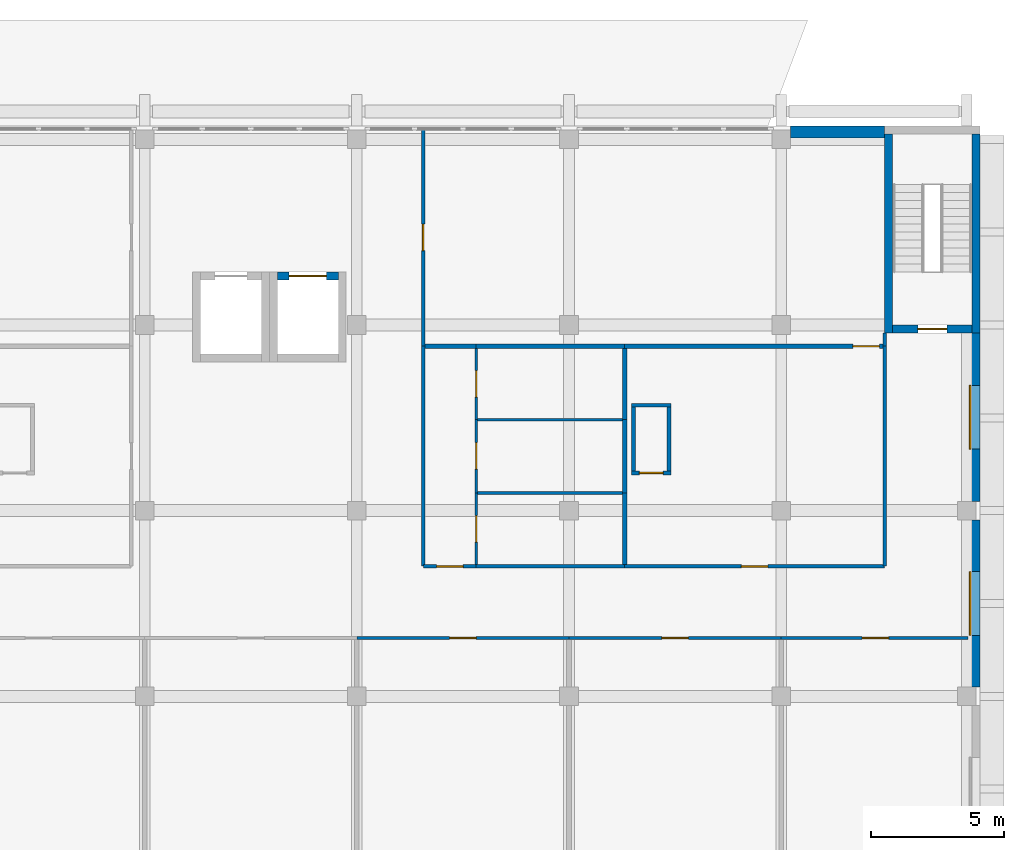
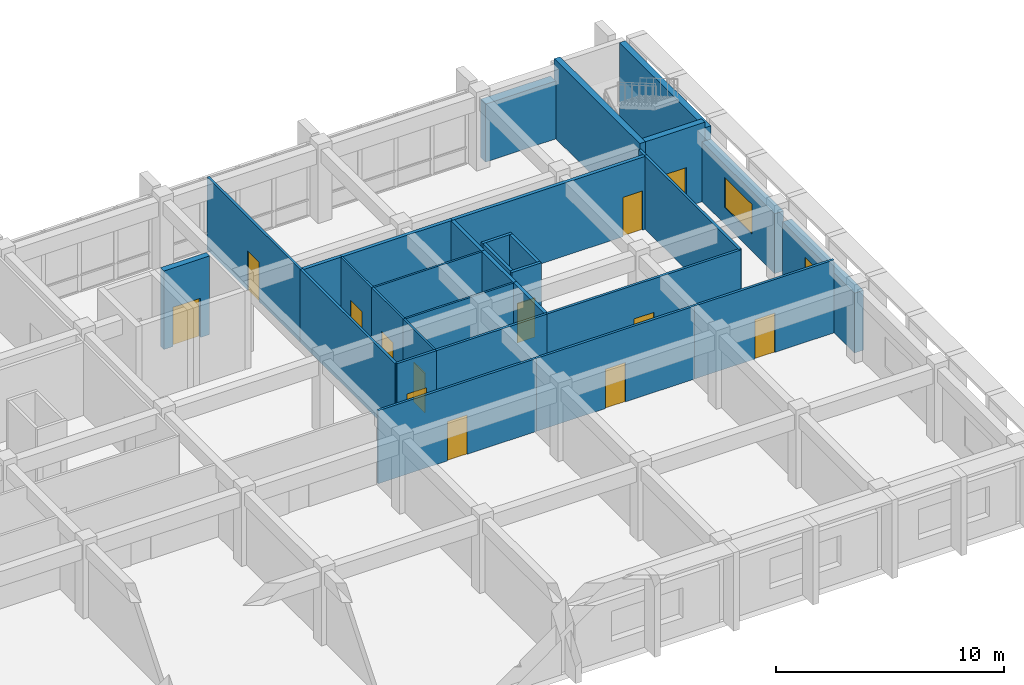
# One storey, part 36 of 45: 32 walls, 13 doors, 2 windows, 15 openings.
"""IFC4 building model written with IfcOpenShell, lengths in metres."""

from ifc_helpers import new_model, si_unit, direction, frame, frame_2d, origin, place, context, subcontext, project, spatial, rectangle, extrude, material, layer, layer_set, type_object, element, fill, save


model = new_model("IFC4")

# Units and contexts
model_context = context("Model", 3, precision=1e-05, world=origin(), true_north=direction((0.0, 1.0)))
body_context = subcontext(model_context, "Body", "Model", "MODEL_VIEW")
ifc_project = project(units=[si_unit("LENGTHUNIT", "METRE"), si_unit("AREAUNIT", "SQUARE_METRE"), si_unit("VOLUMEUNIT", "CUBIC_METRE"), si_unit("PLANEANGLEUNIT", "RADIAN"), si_unit("MASSUNIT", "GRAM", prefix="KILO")], contexts=[model_context])

# Site, building, storey
site_placement = place(None, origin())
site = spatial("IfcSite", under=ifc_project, at=site_placement, CompositionType="ELEMENT")
building_placement = place(site_placement, origin())
building = spatial("IfcBuilding", under=site, at=building_placement, Name="Elmora Arch Market Hall", CompositionType="ELEMENT")
storey_placement = place(building_placement, frame((0.0, 0.0, 6.0)))
storey = spatial("IfcBuildingStorey", under=building, at=storey_placement, Name="L01", CompositionType="ELEMENT", Elevation=6.0)

# Wall, opening, door
ifc_material_1 = material(Name="Blockwork", Category="masonry")
ifc_layer_1 = layer(ifc_material_1, 0.14990234375)
ifc_layer_set_1 = layer_set([ifc_layer_1], Name="Blockwork")
wall_type_1 = type_object("IfcWallType", Name="Blockwork partition 150 EI 120", PredefinedType="PARTITIONING", material=ifc_layer_set_1)
wall_1_placement = place(storey_placement, frame((120.85009765625, 152.925048828125, 0.0), z_axis=(0.0, 0.0, 1.0), x_axis=(1.0, 0.0, 0.0)))
wall_1 = element("IfcWall", 1, at=wall_1_placement, inside=storey, type_object=wall_type_1, Name="Riser wall L01 39", PredefinedType="PARTITIONING", context=body_context, shape_type="SweptSolid", body=[
    extrude(rectangle(XDim=1.5, YDim=0.14990234375, at=frame_2d((0.75, 0.0))), origin(), (0.0, 0.0, 1.0), 3.89990234375),
])
opening_1_placement = place(wall_1_placement, frame((0.300048828125, 0.0, 0.0)))
opening_1 = element("IfcOpeningElement", 2, at=opening_1_placement, cuts=wall_1, Name="Opening D-L01-081", PredefinedType="OPENING", context=body_context, shape_type="SweptSolid", body=[
    extrude(rectangle(XDim=0.89990234375, YDim=2.10009765625, at=frame_2d((0.449951171875, 1.050048828125))), frame((0.0, 0.0849609375, 0.0), z_axis=(0.0, -1.0, 0.0), x_axis=(1.0, 0.0, 0.0)), (0.0, 0.0, 1.0), 0.169921875),
])
ifc_material_2 = material(Name="Steel ASTM A653 galvanised", Category="steel")
door_type_1 = type_object("IfcDoorType", Name="Door 900 x 2100 FD90", OperationType="SINGLE_SWING_LEFT", PredefinedType="DOOR", material=ifc_material_2)
door_1_placement = place(opening_1_placement, origin())
door_1 = element("IfcDoor", 3, at=door_1_placement, inside=storey, type_object=door_type_1, Name="Riser access door D-L01-081", OperationType="SINGLE_SWING_LEFT", OverallHeight=2.10009765625, OverallWidth=0.89990234375, PredefinedType="DOOR", context=body_context, shape_type="SweptSolid", body=[
    extrude(rectangle(XDim=0.89990234375, YDim=2.10009765625, at=frame_2d((0.449951171875, 1.050048828125))), frame((0.0, 0.02490234375, 0.0), z_axis=(0.0, -1.0, 0.0), x_axis=(1.0, 0.0, 0.0)), (0.0, 0.0, 1.0), 0.050048828125),
])
fill(opening_1, door_1)

# Walls
wall_2_placement = place(storey_placement, frame((120.925048828125, 153.0, 0.0), z_axis=(0.0, 0.0, 1.0), x_axis=(0.0, 1.0, 0.0)))
element("IfcWall", 4, at=wall_2_placement, inside=storey, type_object=wall_type_1, Name="Riser wall L01 40", PredefinedType="PARTITIONING", context=body_context, shape_type="SweptSolid", body=[
    extrude(rectangle(XDim=2.39990234375, YDim=0.14990234375, at=frame_2d((1.199951171875, 0.0))), origin(), (0.0, 0.0, 1.0), 3.89990234375),
])
wall_3_placement = place(storey_placement, frame((120.85009765625, 155.47509765625, 0.0), z_axis=(0.0, 0.0, 1.0), x_axis=(1.0, 0.0, 0.0)))
element("IfcWall", 5, at=wall_3_placement, inside=storey, type_object=wall_type_1, Name="Riser wall L01 41", PredefinedType="PARTITIONING", context=body_context, shape_type="SweptSolid", body=[
    extrude(rectangle(XDim=1.5, YDim=0.14990234375, at=frame_2d((0.75, 0.0))), origin(), (0.0, 0.0, 1.0), 3.89990234375),
])
wall_4_placement = place(storey_placement, frame((122.27490234375, 153.0, 0.0), z_axis=(0.0, 0.0, 1.0), x_axis=(0.0, 1.0, 0.0)))
element("IfcWall", 6, at=wall_4_placement, inside=storey, type_object=wall_type_1, Name="Riser wall L01 42", PredefinedType="PARTITIONING", context=body_context, shape_type="SweptSolid", body=[
    extrude(rectangle(XDim=2.39990234375, YDim=0.14990234375, at=frame_2d((1.199951171875, 0.0))), origin(), (0.0, 0.0, 1.0), 3.89990234375),
])
ifc_material_3 = material(Name="Concrete C40/50", Category="concrete")
ifc_layer_2 = layer(ifc_material_3, 0.300048828125)
ifc_layer_set_2 = layer_set([ifc_layer_2], Name="Concrete C40/50")
wall_type_2 = type_object("IfcWallType", Name="Board-marked concrete wall 300", PredefinedType="SOLIDWALL", material=ifc_layer_set_2)
wall_5_placement = place(storey_placement, frame((133.85009765625, 165.699951171875, 0.0), z_axis=(0.0, 0.0, 1.0), x_axis=(0.0, -1.0, 0.0)))
element("IfcWall", 7, at=wall_5_placement, inside=storey, type_object=wall_type_2, Name="School stair wall E L01 1", PredefinedType="SOLIDWALL", context=body_context, shape_type="SweptSolid", body=[
    extrude(rectangle(XDim=7.5, YDim=0.300048828125, at=frame_2d((3.75, 0.0))), origin(), (0.0, 0.0, 1.0), 3.89990234375),
])
ifc_material_4 = material(Name="Concrete C40/50", Category="concrete")
ifc_layer_3 = layer(ifc_material_4, 0.449951171875)
ifc_layer_set_3 = layer_set([ifc_layer_3], Name="Concrete C40/50")
wall_type_3 = type_object("IfcWallType", Name="Board-marked concrete wall 450", PredefinedType="SOLIDWALL", material=ifc_layer_set_3)
wall_6_placement = place(storey_placement, frame((126.85009765625, 165.77490234375, 0.0), z_axis=(0.0, 0.0, 1.0), x_axis=(1.0, 0.0, 0.0)))
element("IfcWall", 8, at=wall_6_placement, inside=storey, type_object=wall_type_3, Name="School facade wall N L01 8", PredefinedType="SOLIDWALL", context=body_context, shape_type="SweptSolid", body=[
    extrude(rectangle(XDim=3.5498046875, YDim=0.449951171875, at=frame_2d((1.77490234375, 0.0))), origin(), (0.0, 0.0, 1.0), 3.10009765625),
])

# Wall, opening, window
wall_7_placement = place(storey_placement, frame((133.77490234375, 151.14990234375, 0.0), z_axis=(0.0, 0.0, 1.0), x_axis=(0.0, -1.0, 0.0)))
wall_7 = element("IfcWall", 9, at=wall_7_placement, inside=storey, type_object=wall_type_3, Name="School facade wall E L01 4", PredefinedType="SOLIDWALL", context=body_context, shape_type="SweptSolid", body=[
    extrude(rectangle(XDim=6.2998046875, YDim=0.449951171875, at=frame_2d((3.14990234375, 0.0))), origin(), (0.0, 0.0, 1.0), 3.199951171875),
])
opening_2_placement = place(wall_7_placement, frame((1.949951171875, 0.0, 0.89990234375)))
opening_2 = element("IfcOpeningElement", 10, at=opening_2_placement, cuts=wall_7, Name="Opening WB2", PredefinedType="OPENING", context=body_context, shape_type="SweptSolid", body=[
    extrude(rectangle(XDim=2.39990234375, YDim=1.60009765625, at=frame_2d((1.199951171875, 0.800048828125))), frame((0.0, 0.23486328125, 0.0), z_axis=(0.0, -1.0, 0.0), x_axis=(1.0, 0.0, 0.0)), (0.0, 0.0, 1.0), 0.469970703125),
])
ifc_material_5 = material(Name="Aluminium", Category="aluminium")
window_type = type_object("IfcWindowType", Name="School end band window 2400x1600", PartitioningType="SINGLE_PANEL", PredefinedType="WINDOW", material=ifc_material_5)
window_1_placement = place(opening_2_placement, origin())
window_1 = element("IfcWindow", 11, at=window_1_placement, inside=storey, type_object=window_type, Name="Window WB2 L01 E99", OverallHeight=1.60009765625, OverallWidth=2.39990234375, PartitioningType="SINGLE_PANEL", PredefinedType="WINDOW", context=body_context, shape_type="SweptSolid", body=[
    extrude(rectangle(XDim=2.39990234375, YDim=1.60009765625, at=frame_2d((1.199951171875, 0.800048828125))), frame((0.0, -0.125, 0.0), z_axis=(0.0, -1.0, 0.0), x_axis=(1.0, 0.0, 0.0)), (0.0, 0.0, 1.0), 0.06005859375),
])
fill(opening_2, window_1)

wall_8_placement = place(storey_placement, frame((133.77490234375, 158.199951171875, 0.0), z_axis=(0.0, 0.0, 1.0), x_axis=(0.0, -1.0, 0.0)))
wall_8 = element("IfcWall", 12, at=wall_8_placement, inside=storey, type_object=wall_type_3, Name="School facade wall E L01 5", PredefinedType="SOLIDWALL", context=body_context, shape_type="SweptSolid", body=[
    extrude(rectangle(XDim=6.349853515625, YDim=0.449951171875, at=frame_2d((3.1748046875, 0.0))), origin(), (0.0, 0.0, 1.0), 3.199951171875),
])
opening_3_placement = place(wall_8_placement, frame((1.97509765625, 0.0, 0.89990234375)))
opening_3 = element("IfcOpeningElement", 13, at=opening_3_placement, cuts=wall_8, Name="Opening WB2", PredefinedType="OPENING", context=body_context, shape_type="SweptSolid", body=[
    extrude(rectangle(XDim=2.39990234375, YDim=1.60009765625, at=frame_2d((1.199951171875, 0.800048828125))), frame((0.0, 0.23486328125, 0.0), z_axis=(0.0, -1.0, 0.0), x_axis=(1.0, 0.0, 0.0)), (0.0, 0.0, 1.0), 0.469970703125),
])
window_2_placement = place(opening_3_placement, origin())
window_2 = element("IfcWindow", 14, at=window_2_placement, inside=storey, type_object=window_type, Name="Window WB2 L01 E100", OverallHeight=1.60009765625, OverallWidth=2.39990234375, PartitioningType="SINGLE_PANEL", PredefinedType="WINDOW", context=body_context, shape_type="SweptSolid", body=[
    extrude(rectangle(XDim=2.39990234375, YDim=1.60009765625, at=frame_2d((1.199951171875, 0.800048828125))), frame((0.0, -0.125, 0.0), z_axis=(0.0, -1.0, 0.0), x_axis=(1.0, 0.0, 0.0)), (0.0, 0.0, 1.0), 0.06005859375),
])
fill(opening_3, window_2)

# Wall, opening, door
ifc_material_6 = material(Name="Concrete C40/50", Category="concrete")
ifc_layer_4 = layer(ifc_material_6, 0.300048828125)
ifc_layer_set_4 = layer_set([ifc_layer_4], Name="Concrete C40/50")
wall_type_4 = type_object("IfcWallType", Name="Lift shaft wall 300", PredefinedType="SHEAR", material=ifc_layer_set_4)
wall_9_placement = place(storey_placement, frame((107.5, 160.35009765625, 0.0), z_axis=(0.0, 0.0, 1.0), x_axis=(1.0, 0.0, 0.0)))
wall_9 = element("IfcWall", 15, at=wall_9_placement, inside=storey, type_object=wall_type_4, Name="Lift shaft wall SL2 N L01", PredefinedType="SHEAR", context=body_context, shape_type="SweptSolid", body=[
    extrude(rectangle(XDim=2.300048828125, YDim=0.300048828125, at=frame_2d((1.14990234375, 0.0))), origin(), (0.0, 0.0, 1.0), 4.199951171875),
])
opening_4_placement = place(wall_9_placement, frame((0.449951171875, 0.0, 0.0)))
opening_4 = element("IfcOpeningElement", 16, at=opening_4_placement, cuts=wall_9, Name="Opening LD-SL2-L01", PredefinedType="OPENING", context=body_context, shape_type="SweptSolid", body=[
    extrude(rectangle(XDim=1.39990234375, YDim=2.10009765625, at=frame_2d((0.699951171875, 1.050048828125))), frame((0.0, 0.159912109375, 0.0), z_axis=(0.0, -1.0, 0.0), x_axis=(1.0, 0.0, 0.0)), (0.0, 0.0, 1.0), 0.320068359375),
])
ifc_material_7 = material(Name="Stainless steel ASTM A240 Type 304", Category="steel")
door_type_2 = type_object("IfcDoorType", Name="Lift landing door 1400 x 2100 FD90", OperationType="DOUBLE_DOOR_SLIDING", PredefinedType="DOOR", material=ifc_material_7)
door_2_placement = place(opening_4_placement, origin())
door_2 = element("IfcDoor", 17, at=door_2_placement, inside=storey, type_object=door_type_2, Name="Landing door SL2 L01", OperationType="DOUBLE_DOOR_SLIDING", OverallHeight=2.10009765625, OverallWidth=1.39990234375, PredefinedType="DOOR", context=body_context, shape_type="SweptSolid", body=[
    extrude(rectangle(XDim=1.39990234375, YDim=2.10009765625, at=frame_2d((0.699951171875, 1.050048828125))), frame((0.0, 0.02490234375, 0.0), z_axis=(0.0, -1.0, 0.0), x_axis=(1.0, 0.0, 0.0)), (0.0, 0.0, 1.0), 0.050048828125),
])
fill(opening_4, door_2)

# Walls
ifc_material_8 = material(Name="Gypsum board on metal studs")
ifc_layer_5 = layer(ifc_material_8, 0.10009765625)
ifc_layer_set_5 = layer_set([ifc_layer_5], Name="Gypsum board on metal studs")
wall_type_5 = type_object("IfcWallType", Name="Partition 100", PredefinedType="PARTITIONING", material=ifc_layer_set_5)
for number, where, z_axis, x_axis, name in (
    (18, (115.050048828125, 152.166748046875, 0.0), (0.0, 0.0, 1.0), (1.0, 0.0, 0.0), "Partition PT-L01-075"),
    (19, (115.050048828125, 154.933349609375, 0.0), (0.0, 0.0, 1.0), (1.0, 0.0, 0.0), "Partition PT-L01-076"),
):
    element("IfcWall", number, at=place(storey_placement, frame(where, z_axis=z_axis, x_axis=x_axis)), inside=storey, type_object=wall_type_5, Name=name, PredefinedType="PARTITIONING", context=body_context, shape_type="SweptSolid", body=[
        extrude(rectangle(XDim=5.46240234375, YDim=0.10009765625, at=frame_2d((2.731201171875, 0.0))), origin(), (0.0, 0.0, 1.0), 3.89990234375),
    ])

# Wall, opening, door
wall_10_placement = place(storey_placement, frame((115.0, 149.46240234375, 0.0), z_axis=(0.0, 0.0, 1.0), x_axis=(0.0, 1.0, 0.0)))
wall_10 = element("IfcWall", 20, at=wall_10_placement, inside=storey, type_object=wall_type_5, Name="Partition PT-L01-146", PredefinedType="PARTITIONING", context=body_context, shape_type="SweptSolid", body=[
    extrude(rectangle(XDim=2.704345703125, YDim=0.10009765625, at=frame_2d((1.35205078125, 0.0))), origin(), (0.0, 0.0, 1.0), 3.89990234375),
])
opening_5_placement = place(wall_10_placement, frame((0.85009765625, 0.0, 0.0)))
opening_5 = element("IfcOpeningElement", 21, at=opening_5_placement, cuts=wall_10, Name="Opening D-L01-079", PredefinedType="OPENING", context=body_context, shape_type="SweptSolid", body=[
    extrude(rectangle(XDim=1.0, YDim=2.10009765625, at=frame_2d((0.5, 1.050048828125))), frame((0.0, 0.06005859375, 0.0), z_axis=(0.0, -1.0, 0.0), x_axis=(1.0, 0.0, 0.0)), (0.0, 0.0, 1.0), 0.1201171875),
])
ifc_material_9 = material(Name="Timber door set", Category="wood")
door_type_3 = type_object("IfcDoorType", Name="Door 1000 x 2100", OperationType="SINGLE_SWING_LEFT", PredefinedType="DOOR", material=ifc_material_9)
door_3_placement = place(opening_5_placement, frame((1.0, 0.0, 0.0), z_axis=(0.0, 0.0, 1.0), x_axis=(-1.0, 0.0, 0.0)))
door_3 = element("IfcDoor", 22, at=door_3_placement, inside=storey, type_object=door_type_3, Name="D-L01-079", OperationType="SINGLE_SWING_LEFT", OverallHeight=2.10009765625, OverallWidth=1.0, PredefinedType="DOOR", context=body_context, shape_type="SweptSolid", body=[
    extrude(rectangle(XDim=1.0, YDim=2.10009765625, at=frame_2d((0.5, 1.050048828125))), frame((0.0, 0.02490234375, 0.0), z_axis=(0.0, -1.0, 0.0), x_axis=(1.0, 0.0, 0.0)), (0.0, 0.0, 1.0), 0.050048828125),
])
fill(opening_5, door_3)

wall_11_placement = place(storey_placement, frame((115.0, 152.166748046875, 0.0), z_axis=(0.0, 0.0, 1.0), x_axis=(0.0, 1.0, 0.0)))
wall_11 = element("IfcWall", 23, at=wall_11_placement, inside=storey, type_object=wall_type_5, Name="Partition PT-L01-147", PredefinedType="PARTITIONING", context=body_context, shape_type="SweptSolid", body=[
    extrude(rectangle(XDim=2.7666015625, YDim=0.10009765625, at=frame_2d((1.38330078125, 0.0))), origin(), (0.0, 0.0, 1.0), 3.89990234375),
])
opening_6_placement = place(wall_11_placement, frame((0.89990234375, 0.0, 0.0)))
opening_6 = element("IfcOpeningElement", 24, at=opening_6_placement, cuts=wall_11, Name="Opening D-L01-083", PredefinedType="OPENING", context=body_context, shape_type="SweptSolid", body=[
    extrude(rectangle(XDim=1.0, YDim=2.10009765625, at=frame_2d((0.5, 1.050048828125))), frame((0.0, 0.06005859375, 0.0), z_axis=(0.0, -1.0, 0.0), x_axis=(1.0, 0.0, 0.0)), (0.0, 0.0, 1.0), 0.1201171875),
])
door_4_placement = place(opening_6_placement, frame((1.0, 0.0, 0.0), z_axis=(0.0, 0.0, 1.0), x_axis=(-1.0, 0.0, 0.0)))
door_4 = element("IfcDoor", 25, at=door_4_placement, inside=storey, type_object=door_type_3, Name="D-L01-083", OperationType="SINGLE_SWING_LEFT", OverallHeight=2.10009765625, OverallWidth=1.0, PredefinedType="DOOR", context=body_context, shape_type="SweptSolid", body=[
    extrude(rectangle(XDim=1.0, YDim=2.10009765625, at=frame_2d((0.5, 1.050048828125))), frame((0.0, 0.02490234375, 0.0), z_axis=(0.0, -1.0, 0.0), x_axis=(1.0, 0.0, 0.0)), (0.0, 0.0, 1.0), 0.050048828125),
])
fill(opening_6, door_4)

wall_12_placement = place(storey_placement, frame((115.0, 154.933349609375, 0.0), z_axis=(0.0, 0.0, 1.0), x_axis=(0.0, 1.0, 0.0)))
wall_12 = element("IfcWall", 26, at=wall_12_placement, inside=storey, type_object=wall_type_5, Name="Partition PT-L01-148", PredefinedType="PARTITIONING", context=body_context, shape_type="SweptSolid", body=[
    extrude(rectangle(XDim=2.67919921875, YDim=0.10009765625, at=frame_2d((1.339599609375, 0.0))), origin(), (0.0, 0.0, 1.0), 3.89990234375),
])
opening_7_placement = place(wall_12_placement, frame((0.85009765625, 0.0, 0.0)))
opening_7 = element("IfcOpeningElement", 27, at=opening_7_placement, cuts=wall_12, Name="Opening D-L01-084", PredefinedType="OPENING", context=body_context, shape_type="SweptSolid", body=[
    extrude(rectangle(XDim=1.0, YDim=2.10009765625, at=frame_2d((0.5, 1.050048828125))), frame((0.0, 0.06005859375, 0.0), z_axis=(0.0, -1.0, 0.0), x_axis=(1.0, 0.0, 0.0)), (0.0, 0.0, 1.0), 0.1201171875),
])
door_5_placement = place(opening_7_placement, frame((1.0, 0.0, 0.0), z_axis=(0.0, 0.0, 1.0), x_axis=(-1.0, 0.0, 0.0)))
door_5 = element("IfcDoor", 28, at=door_5_placement, inside=storey, type_object=door_type_3, Name="D-L01-084", OperationType="SINGLE_SWING_RIGHT", OverallHeight=2.10009765625, OverallWidth=1.0, PredefinedType="DOOR", context=body_context, shape_type="SweptSolid", body=[
    extrude(rectangle(XDim=1.0, YDim=2.10009765625, at=frame_2d((0.5, 1.050048828125))), frame((0.0, 0.02490234375, 0.0), z_axis=(0.0, -1.0, 0.0), x_axis=(1.0, 0.0, 0.0)), (0.0, 0.0, 1.0), 0.050048828125),
])
fill(opening_7, door_5)

ifc_material_10 = material(Name="Gypsum board on metal studs")
ifc_layer_6 = layer(ifc_material_10, 0.125)
ifc_layer_set_6 = layer_set([ifc_layer_6], Name="Gypsum board on metal studs")
wall_type_6 = type_object("IfcWallType", Name="Partition 125 EI 60", PredefinedType="PARTITIONING", material=ifc_layer_set_6)
wall_13_placement = place(storey_placement, frame((110.5, 146.699951171875, 0.0), z_axis=(0.0, 0.0, 1.0), x_axis=(1.0, 0.0, 0.0)))
wall_13 = element("IfcWall", 29, at=wall_13_placement, inside=storey, type_object=wall_type_6, Name="Partition PT-L01-068", PredefinedType="PARTITIONING", context=body_context, shape_type="SweptSolid", body=[
    extrude(rectangle(XDim=8.0, YDim=0.125, at=frame_2d((4.0, 0.0))), origin(), (0.0, 0.0, 1.0), 3.89990234375),
])
opening_8_placement = place(wall_13_placement, frame((3.5, 0.0, 0.0)))
opening_8 = element("IfcOpeningElement", 30, at=opening_8_placement, cuts=wall_13, Name="Opening D-L01-073", PredefinedType="OPENING", context=body_context, shape_type="SweptSolid", body=[
    extrude(rectangle(XDim=1.0, YDim=2.10009765625, at=frame_2d((0.5, 1.050048828125))), frame((0.0, 0.072509765625, 0.0), z_axis=(0.0, -1.0, 0.0), x_axis=(1.0, 0.0, 0.0)), (0.0, 0.0, 1.0), 0.14501953125),
])
ifc_material_11 = material(Name="Steel ASTM A653 galvanised", Category="steel")
door_type_4 = type_object("IfcDoorType", Name="Door 1000 x 2100 FD45", OperationType="SINGLE_SWING_LEFT", PredefinedType="DOOR", material=ifc_material_11)
door_6_placement = place(opening_8_placement, frame((1.0, 0.0, 0.0), z_axis=(0.0, 0.0, 1.0), x_axis=(-1.0, 0.0, 0.0)))
door_6 = element("IfcDoor", 31, at=door_6_placement, inside=storey, type_object=door_type_4, Name="D-L01-073", OperationType="SINGLE_SWING_RIGHT", OverallHeight=2.10009765625, OverallWidth=1.0, PredefinedType="DOOR", context=body_context, shape_type="SweptSolid", body=[
    extrude(rectangle(XDim=1.0, YDim=2.10009765625, at=frame_2d((0.5, 1.050048828125))), frame((0.0, 0.02490234375, 0.0), z_axis=(0.0, -1.0, 0.0), x_axis=(1.0, 0.0, 0.0)), (0.0, 0.0, 1.0), 0.050048828125),
])
fill(opening_8, door_6)

wall_14_placement = place(storey_placement, frame((118.5, 146.699951171875, 0.0), z_axis=(0.0, 0.0, 1.0), x_axis=(1.0, 0.0, 0.0)))
wall_14 = element("IfcWall", 32, at=wall_14_placement, inside=storey, type_object=wall_type_6, Name="Partition PT-L01-069", PredefinedType="PARTITIONING", context=body_context, shape_type="SweptSolid", body=[
    extrude(rectangle(XDim=8.0, YDim=0.125, at=frame_2d((4.0, 0.0))), origin(), (0.0, 0.0, 1.0), 3.89990234375),
])
opening_9_placement = place(wall_14_placement, frame((3.5, 0.0, 0.0)))
opening_9 = element("IfcOpeningElement", 33, at=opening_9_placement, cuts=wall_14, Name="Opening D-L01-074", PredefinedType="OPENING", context=body_context, shape_type="SweptSolid", body=[
    extrude(rectangle(XDim=1.0, YDim=2.10009765625, at=frame_2d((0.5, 1.050048828125))), frame((0.0, 0.072509765625, 0.0), z_axis=(0.0, -1.0, 0.0), x_axis=(1.0, 0.0, 0.0)), (0.0, 0.0, 1.0), 0.14501953125),
])
door_7_placement = place(opening_9_placement, frame((1.0, 0.0, 0.0), z_axis=(0.0, 0.0, 1.0), x_axis=(-1.0, 0.0, 0.0)))
door_7 = element("IfcDoor", 34, at=door_7_placement, inside=storey, type_object=door_type_4, Name="D-L01-074", OperationType="SINGLE_SWING_RIGHT", OverallHeight=2.10009765625, OverallWidth=1.0, PredefinedType="DOOR", context=body_context, shape_type="SweptSolid", body=[
    extrude(rectangle(XDim=1.0, YDim=2.10009765625, at=frame_2d((0.5, 1.050048828125))), frame((0.0, 0.02490234375, 0.0), z_axis=(0.0, -1.0, 0.0), x_axis=(1.0, 0.0, 0.0)), (0.0, 0.0, 1.0), 0.050048828125),
])
fill(opening_9, door_7)

wall_15_placement = place(storey_placement, frame((126.5, 146.699951171875, 0.0), z_axis=(0.0, 0.0, 1.0), x_axis=(1.0, 0.0, 0.0)))
wall_15 = element("IfcWall", 35, at=wall_15_placement, inside=storey, type_object=wall_type_6, Name="Partition PT-L01-070", PredefinedType="PARTITIONING", context=body_context, shape_type="SweptSolid", body=[
    extrude(rectangle(XDim=7.050048828125, YDim=0.125, at=frame_2d((3.52490234375, 0.0))), origin(), (0.0, 0.0, 1.0), 3.89990234375),
])
opening_10_placement = place(wall_15_placement, frame((3.050048828125, 0.0, 0.0)))
opening_10 = element("IfcOpeningElement", 36, at=opening_10_placement, cuts=wall_15, Name="Opening D-L01-075", PredefinedType="OPENING", context=body_context, shape_type="SweptSolid", body=[
    extrude(rectangle(XDim=1.0, YDim=2.10009765625, at=frame_2d((0.5, 1.050048828125))), frame((0.0, 0.072509765625, 0.0), z_axis=(0.0, -1.0, 0.0), x_axis=(1.0, 0.0, 0.0)), (0.0, 0.0, 1.0), 0.14501953125),
])
door_8_placement = place(opening_10_placement, frame((1.0, 0.0, 0.0), z_axis=(0.0, 0.0, 1.0), x_axis=(-1.0, 0.0, 0.0)))
door_8 = element("IfcDoor", 37, at=door_8_placement, inside=storey, type_object=door_type_4, Name="D-L01-075", OperationType="SINGLE_SWING_RIGHT", OverallHeight=2.10009765625, OverallWidth=1.0, PredefinedType="DOOR", context=body_context, shape_type="SweptSolid", body=[
    extrude(rectangle(XDim=1.0, YDim=2.10009765625, at=frame_2d((0.5, 1.050048828125))), frame((0.0, 0.02490234375, 0.0), z_axis=(0.0, -1.0, 0.0), x_axis=(1.0, 0.0, 0.0)), (0.0, 0.0, 1.0), 0.050048828125),
])
fill(opening_10, door_8)

wall_16_placement = place(storey_placement, frame((113.010009765625, 149.39990234375, 0.0), z_axis=(0.0, 0.0, 1.0), x_axis=(1.0, 0.0, 0.0)))
wall_16 = element("IfcWall", 38, at=wall_16_placement, inside=storey, type_object=wall_type_6, Name="Partition PT-L01-072", PredefinedType="PARTITIONING", context=body_context, shape_type="SweptSolid", body=[
    extrude(rectangle(XDim=1.989990234375, YDim=0.125, at=frame_2d((0.9951171875, 0.0))), origin(), (0.0, 0.0, 1.0), 3.89990234375),
])
opening_11_placement = place(wall_16_placement, frame((0.5, 0.0, 0.0)))
opening_11 = element("IfcOpeningElement", 39, at=opening_11_placement, cuts=wall_16, Name="Opening D-L01-077", PredefinedType="OPENING", context=body_context, shape_type="SweptSolid", body=[
    extrude(rectangle(XDim=1.0, YDim=2.10009765625, at=frame_2d((0.5, 1.050048828125))), frame((0.0, 0.072509765625, 0.0), z_axis=(0.0, -1.0, 0.0), x_axis=(1.0, 0.0, 0.0)), (0.0, 0.0, 1.0), 0.14501953125),
])
ifc_material_12 = material(Name="Steel ASTM A653 galvanised", Category="steel")
door_type_5 = type_object("IfcDoorType", Name="Door 1000 x 2100 FD20", OperationType="SINGLE_SWING_LEFT", PredefinedType="DOOR", material=ifc_material_12)
door_9_placement = place(opening_11_placement, origin())
door_9 = element("IfcDoor", 40, at=door_9_placement, inside=storey, type_object=door_type_5, Name="D-L01-077", OperationType="SINGLE_SWING_RIGHT", OverallHeight=2.10009765625, OverallWidth=1.0, PredefinedType="DOOR", context=body_context, shape_type="SweptSolid", body=[
    extrude(rectangle(XDim=1.0, YDim=2.10009765625, at=frame_2d((0.5, 1.050048828125))), frame((0.0, 0.02490234375, 0.0), z_axis=(0.0, -1.0, 0.0), x_axis=(1.0, 0.0, 0.0)), (0.0, 0.0, 1.0), 0.050048828125),
])
fill(opening_11, door_9)

# Wall
wall_17_placement = place(storey_placement, frame((115.0, 149.39990234375, 0.0), z_axis=(0.0, 0.0, 1.0), x_axis=(1.0, 0.0, 0.0)))
element("IfcWall", 41, at=wall_17_placement, inside=storey, type_object=wall_type_6, Name="Partition PT-L01-073", PredefinedType="PARTITIONING", context=body_context, shape_type="SweptSolid", body=[
    extrude(rectangle(XDim=5.60009765625, YDim=0.125, at=frame_2d((2.800048828125, 0.0))), origin(), (0.0, 0.0, 1.0), 3.89990234375),
])

# Wall, opening, door
wall_18_placement = place(storey_placement, frame((120.60009765625, 149.39990234375, 0.0), z_axis=(0.0, 0.0, 1.0), x_axis=(1.0, 0.0, 0.0)))
wall_18 = element("IfcWall", 42, at=wall_18_placement, inside=storey, type_object=wall_type_6, Name="Partition PT-L01-074", PredefinedType="PARTITIONING", context=body_context, shape_type="SweptSolid", body=[
    extrude(rectangle(XDim=9.789794921875, YDim=0.125, at=frame_2d((4.89501953125, 0.0))), origin(), (0.0, 0.0, 1.0), 3.89990234375),
])
opening_12_placement = place(wall_18_placement, frame((4.39990234375, 0.0, 0.0)))
opening_12 = element("IfcOpeningElement", 43, at=opening_12_placement, cuts=wall_18, Name="Opening D-L01-078", PredefinedType="OPENING", context=body_context, shape_type="SweptSolid", body=[
    extrude(rectangle(XDim=1.0, YDim=2.10009765625, at=frame_2d((0.5, 1.050048828125))), frame((0.0, 0.072509765625, 0.0), z_axis=(0.0, -1.0, 0.0), x_axis=(1.0, 0.0, 0.0)), (0.0, 0.0, 1.0), 0.14501953125),
])
door_10_placement = place(opening_12_placement, origin())
door_10 = element("IfcDoor", 44, at=door_10_placement, inside=storey, type_object=door_type_4, Name="D-L01-078", OperationType="SINGLE_SWING_LEFT", OverallHeight=2.10009765625, OverallWidth=1.0, PredefinedType="DOOR", context=body_context, shape_type="SweptSolid", body=[
    extrude(rectangle(XDim=1.0, YDim=2.10009765625, at=frame_2d((0.5, 1.050048828125))), frame((0.0, 0.02490234375, 0.0), z_axis=(0.0, -1.0, 0.0), x_axis=(1.0, 0.0, 0.0)), (0.0, 0.0, 1.0), 0.050048828125),
])
fill(opening_12, door_10)

# Wall
wall_19_placement = place(storey_placement, frame((113.0, 149.409912109375, 0.0), z_axis=(0.0, 0.0, 1.0), x_axis=(0.0, 1.0, 0.0)))
element("IfcWall", 45, at=wall_19_placement, inside=storey, type_object=wall_type_6, Name="Partition PT-L01-144", PredefinedType="PARTITIONING", context=body_context, shape_type="SweptSolid", body=[
    extrude(rectangle(XDim=8.2900390625, YDim=0.125, at=frame_2d((4.14501953125, 0.0))), origin(), (0.0, 0.0, 1.0), 3.89990234375),
])

# Wall, opening, door
wall_20_placement = place(storey_placement, frame((113.0, 157.699951171875, 0.0), z_axis=(0.0, 0.0, 1.0), x_axis=(0.0, 1.0, 0.0)))
wall_20 = element("IfcWall", 46, at=wall_20_placement, inside=storey, type_object=wall_type_6, Name="Partition PT-L01-145", PredefinedType="PARTITIONING", context=body_context, shape_type="SweptSolid", body=[
    extrude(rectangle(XDim=8.150146484375, YDim=0.125, at=frame_2d((4.0751953125, 0.0))), origin(), (0.0, 0.0, 1.0), 3.89990234375),
])
opening_13_placement = place(wall_20_placement, frame((3.60009765625, 0.0, 0.0)))
opening_13 = element("IfcOpeningElement", 47, at=opening_13_placement, cuts=wall_20, Name="Opening D-L01-088", PredefinedType="OPENING", context=body_context, shape_type="SweptSolid", body=[
    extrude(rectangle(XDim=1.0, YDim=2.10009765625, at=frame_2d((0.5, 1.050048828125))), frame((0.0, 0.072509765625, 0.0), z_axis=(0.0, -1.0, 0.0), x_axis=(1.0, 0.0, 0.0)), (0.0, 0.0, 1.0), 0.14501953125),
])
door_11_placement = place(opening_13_placement, frame((1.0, 0.0, 0.0), z_axis=(0.0, 0.0, 1.0), x_axis=(-1.0, 0.0, 0.0)))
door_11 = element("IfcDoor", 48, at=door_11_placement, inside=storey, type_object=door_type_4, Name="D-L01-088", OperationType="SINGLE_SWING_RIGHT", OverallHeight=2.10009765625, OverallWidth=1.0, PredefinedType="DOOR", context=body_context, shape_type="SweptSolid", body=[
    extrude(rectangle(XDim=1.0, YDim=2.10009765625, at=frame_2d((0.5, 1.050048828125))), frame((0.0, 0.02490234375, 0.0), z_axis=(0.0, -1.0, 0.0), x_axis=(1.0, 0.0, 0.0)), (0.0, 0.0, 1.0), 0.050048828125),
])
fill(opening_13, door_11)

# Walls
wall_21_placement = place(storey_placement, frame((130.39990234375, 149.409912109375, 0.0), z_axis=(0.0, 0.0, 1.0), x_axis=(0.0, 1.0, 0.0)))
element("IfcWall", 49, at=wall_21_placement, inside=storey, type_object=wall_type_6, Name="Partition PT-L01-154", PredefinedType="PARTITIONING", context=body_context, shape_type="SweptSolid", body=[
    extrude(rectangle(XDim=8.2900390625, YDim=0.125, at=frame_2d((4.14501953125, 0.0))), origin(), (0.0, 0.0, 1.0), 3.89990234375),
])
wall_22_placement = place(storey_placement, frame((130.39990234375, 157.699951171875, 0.0), z_axis=(0.0, 0.0, 1.0), x_axis=(0.0, 1.0, 0.0)))
element("IfcWall", 50, at=wall_22_placement, inside=storey, type_object=wall_type_6, Name="Partition PT-L01-155", PredefinedType="PARTITIONING", context=body_context, shape_type="SweptSolid", body=[
    extrude(rectangle(XDim=0.5, YDim=0.125, at=frame_2d((0.25, 0.0))), origin(), (0.0, 0.0, 1.0), 3.89990234375),
])
ifc_material_13 = material(Name="Gypsum board on metal studs")
ifc_layer_7 = layer(ifc_material_13, 0.175048828125)
ifc_layer_set_7 = layer_set([ifc_layer_7], Name="Gypsum board on metal studs")
wall_type_7 = type_object("IfcWallType", Name="Partition 175 EI 60", PredefinedType="PARTITIONING", material=ifc_layer_set_7)
wall_23_placement = place(storey_placement, frame((113.0625, 157.699951171875, 0.0), z_axis=(0.0, 0.0, 1.0), x_axis=(1.0, 0.0, 0.0)))
element("IfcWall", 51, at=wall_23_placement, inside=storey, type_object=wall_type_7, Name="Partition PT-L01-078", PredefinedType="PARTITIONING", context=body_context, shape_type="SweptSolid", body=[
    extrude(rectangle(XDim=1.9375, YDim=0.175048828125, at=frame_2d((0.96875, 0.0))), origin(), (0.0, 0.0, 1.0), 3.89990234375),
])
wall_24_placement = place(storey_placement, frame((115.0, 157.699951171875, 0.0), z_axis=(0.0, 0.0, 1.0), x_axis=(1.0, 0.0, 0.0)))
element("IfcWall", 52, at=wall_24_placement, inside=storey, type_object=wall_type_7, Name="Partition PT-L01-079", PredefinedType="PARTITIONING", context=body_context, shape_type="SweptSolid", body=[
    extrude(rectangle(XDim=5.60009765625, YDim=0.175048828125, at=frame_2d((2.800048828125, 0.0))), origin(), (0.0, 0.0, 1.0), 3.89990234375),
])

# Wall, opening, door
wall_25_placement = place(storey_placement, frame((120.60009765625, 157.699951171875, 0.0), z_axis=(0.0, 0.0, 1.0), x_axis=(1.0, 0.0, 0.0)))
wall_25 = element("IfcWall", 53, at=wall_25_placement, inside=storey, type_object=wall_type_7, Name="Partition PT-L01-080", PredefinedType="PARTITIONING", context=body_context, shape_type="SweptSolid", body=[
    extrude(rectangle(XDim=9.7373046875, YDim=0.175048828125, at=frame_2d((4.86865234375, 0.0))), origin(), (0.0, 0.0, 1.0), 3.89990234375),
])
opening_14_placement = place(wall_25_placement, frame((8.60009765625, 0.0, 0.0)))
opening_14 = element("IfcOpeningElement", 54, at=opening_14_placement, cuts=wall_25, Name="Opening D-L01-086", PredefinedType="OPENING", context=body_context, shape_type="SweptSolid", body=[
    extrude(rectangle(XDim=1.0, YDim=2.10009765625, at=frame_2d((0.5, 1.050048828125))), frame((0.0, 0.097412109375, 0.0), z_axis=(0.0, -1.0, 0.0), x_axis=(1.0, 0.0, 0.0)), (0.0, 0.0, 1.0), 0.195068359375),
])
door_12_placement = place(opening_14_placement, frame((1.0, 0.0, 0.0), z_axis=(0.0, 0.0, 1.0), x_axis=(-1.0, 0.0, 0.0)))
door_12 = element("IfcDoor", 55, at=door_12_placement, inside=storey, type_object=door_type_4, Name="D-L01-086", OperationType="SINGLE_SWING_LEFT", OverallHeight=2.10009765625, OverallWidth=1.0, PredefinedType="DOOR", context=body_context, shape_type="SweptSolid", body=[
    extrude(rectangle(XDim=1.0, YDim=2.10009765625, at=frame_2d((0.5, 1.050048828125))), frame((0.0, 0.02490234375, 0.0), z_axis=(0.0, -1.0, 0.0), x_axis=(1.0, 0.0, 0.0)), (0.0, 0.0, 1.0), 0.050048828125),
])
fill(opening_14, door_12)

# Walls
wall_26_placement = place(storey_placement, frame((120.60009765625, 149.46240234375, 0.0), z_axis=(0.0, 0.0, 1.0), x_axis=(0.0, 1.0, 0.0)))
element("IfcWall", 56, at=wall_26_placement, inside=storey, type_object=wall_type_7, Name="Partition PT-L01-150", PredefinedType="PARTITIONING", context=body_context, shape_type="SweptSolid", body=[
    extrude(rectangle(XDim=2.704345703125, YDim=0.175048828125, at=frame_2d((1.35205078125, 0.0))), origin(), (0.0, 0.0, 1.0), 3.89990234375),
])
wall_27_placement = place(storey_placement, frame((120.60009765625, 152.166748046875, 0.0), z_axis=(0.0, 0.0, 1.0), x_axis=(0.0, 1.0, 0.0)))
element("IfcWall", 57, at=wall_27_placement, inside=storey, type_object=wall_type_7, Name="Partition PT-L01-151", PredefinedType="PARTITIONING", context=body_context, shape_type="SweptSolid", body=[
    extrude(rectangle(XDim=2.7666015625, YDim=0.175048828125, at=frame_2d((1.38330078125, 0.0))), origin(), (0.0, 0.0, 1.0), 3.89990234375),
])
wall_28_placement = place(storey_placement, frame((120.60009765625, 154.933349609375, 0.0), z_axis=(0.0, 0.0, 1.0), x_axis=(0.0, 1.0, 0.0)))
element("IfcWall", 58, at=wall_28_placement, inside=storey, type_object=wall_type_7, Name="Partition PT-L01-152", PredefinedType="PARTITIONING", context=body_context, shape_type="SweptSolid", body=[
    extrude(rectangle(XDim=2.67919921875, YDim=0.175048828125, at=frame_2d((1.339599609375, 0.0))), origin(), (0.0, 0.0, 1.0), 3.89990234375),
])

# Wall, opening, door
ifc_material_14 = material(Name="Concrete C40/50", Category="concrete")
ifc_layer_8 = layer(ifc_material_14, 0.300048828125)
ifc_layer_set_8 = layer_set([ifc_layer_8], Name="Concrete C40/50")
wall_type_8 = type_object("IfcWallType", Name="Stair wall 300", PredefinedType="SHEAR", material=ifc_layer_set_8)
wall_29_placement = place(storey_placement, frame((130.699951171875, 158.35009765625, 0.0), z_axis=(0.0, 0.0, 1.0), x_axis=(1.0, 0.0, 0.0)))
wall_29 = element("IfcWall", 59, at=wall_29_placement, inside=storey, type_object=wall_type_8, Name="Stair wall ST-SCE S L01", PredefinedType="SHEAR", context=body_context, shape_type="SweptSolid", body=[
    extrude(rectangle(XDim=3.0, YDim=0.300048828125, at=frame_2d((1.5, 0.0))), origin(), (0.0, 0.0, 1.0), 4.199951171875),
])
opening_15_placement = place(wall_29_placement, frame((0.949951171875, 0.0, 0.0)))
opening_15 = element("IfcOpeningElement", 60, at=opening_15_placement, cuts=wall_29, Name="Opening ST-SCE-L01", PredefinedType="OPENING", context=body_context, shape_type="SweptSolid", body=[
    extrude(rectangle(XDim=1.10009765625, YDim=2.10009765625, at=frame_2d((0.550048828125, 1.050048828125))), frame((0.0, 0.159912109375, 0.0), z_axis=(0.0, -1.0, 0.0), x_axis=(1.0, 0.0, 0.0)), (0.0, 0.0, 1.0), 0.320068359375),
])
ifc_material_15 = material(Name="Steel ASTM A653 galvanised", Category="steel")
door_type_6 = type_object("IfcDoorType", Name="Stair door 1100 x 2100 FD90", OperationType="SINGLE_SWING_LEFT", PredefinedType="DOOR", material=ifc_material_15)
door_13_placement = place(opening_15_placement, origin())
door_13 = element("IfcDoor", 61, at=door_13_placement, inside=storey, type_object=door_type_6, Name="Stair door ST-SCE L01", OperationType="SINGLE_SWING_LEFT", OverallHeight=2.10009765625, OverallWidth=1.10009765625, PredefinedType="DOOR", context=body_context, shape_type="SweptSolid", body=[
    extrude(rectangle(XDim=1.10009765625, YDim=2.10009765625, at=frame_2d((0.550048828125, 1.050048828125))), frame((0.0, 0.02490234375, 0.0), z_axis=(0.0, -1.0, 0.0), x_axis=(1.0, 0.0, 0.0)), (0.0, 0.0, 1.0), 0.050048828125),
])
fill(opening_15, door_13)

# Wall
wall_30_placement = place(storey_placement, frame((130.550048828125, 158.199951171875, 0.0), z_axis=(0.0, 0.0, 1.0), x_axis=(0.0, 1.0, 0.0)))
element("IfcWall", 62, at=wall_30_placement, inside=storey, type_object=wall_type_8, Name="Stair wall ST-SCE W L01", PredefinedType="SHEAR", context=body_context, shape_type="SweptSolid", body=[
    extrude(rectangle(XDim=7.5, YDim=0.300048828125, at=frame_2d((3.75, 0.0))), origin(), (0.0, 0.0, 1.0), 4.199951171875),
])

save(model, "model.ifc")
